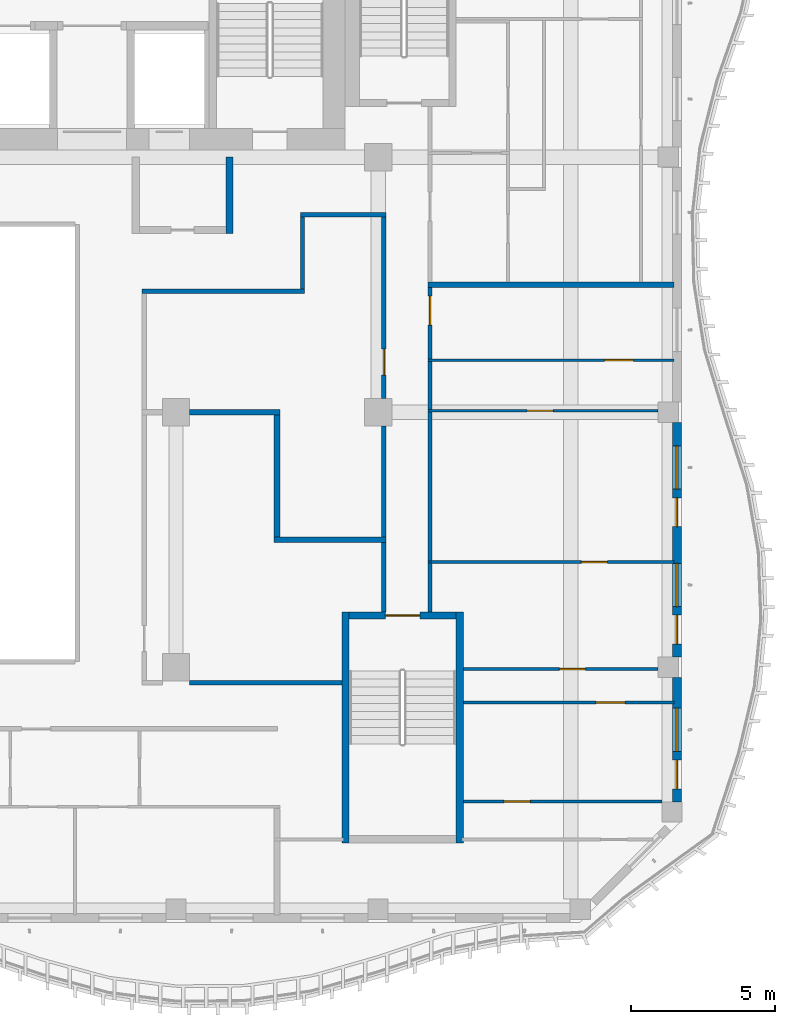
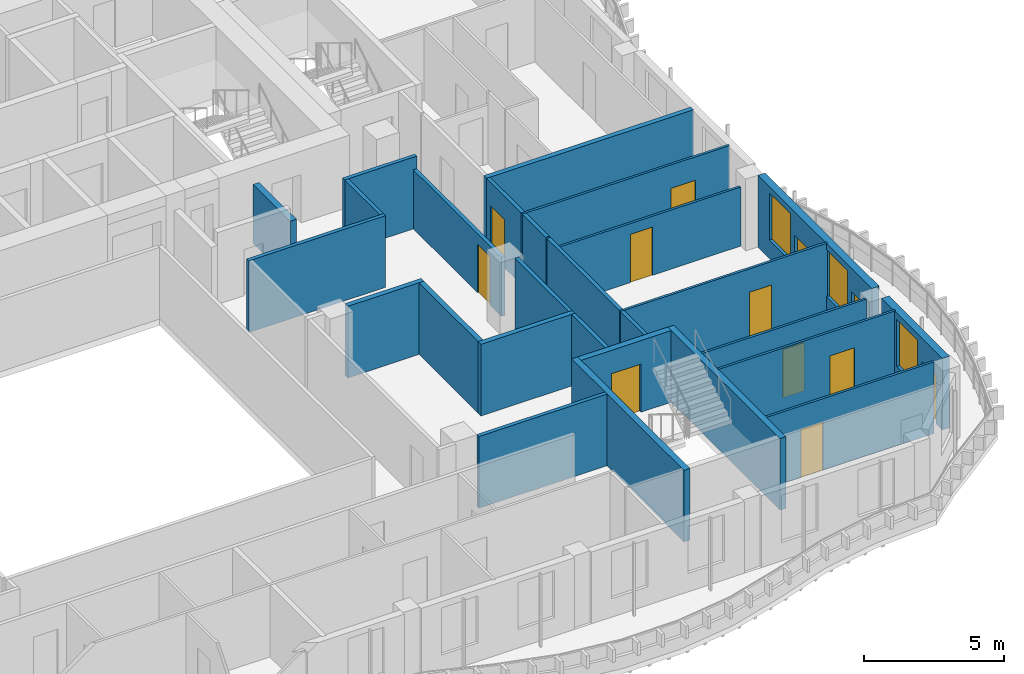
# One storey, part 5 of 18: 27 walls, 12 doors, 3 windows, 15 openings.
"""IFC4 building model written with IfcOpenShell, lengths in metres."""

from ifc_helpers import new_model, si_unit, direction, frame, frame_2d, origin, place, context, subcontext, project, spatial, rectangle, extrude, source, transform, mapped, material, layer, layer_set, type_object, element, fill, save


model = new_model("IFC4")

# Units and contexts
model_context = context("Model", 3, precision=1e-05, world=origin(), true_north=direction((0.0, 1.0)))
body_context = subcontext(model_context, "Body", "Model", "MODEL_VIEW")
ifc_project = project(units=[si_unit("LENGTHUNIT", "METRE"), si_unit("AREAUNIT", "SQUARE_METRE"), si_unit("VOLUMEUNIT", "CUBIC_METRE"), si_unit("PLANEANGLEUNIT", "RADIAN"), si_unit("MASSUNIT", "GRAM", prefix="KILO")], contexts=[model_context])

# Site, building, storey
site_placement = place(None, origin())
site = spatial("IfcSite", under=ifc_project, at=site_placement, CompositionType="ELEMENT")
building_placement = place(site_placement, origin())
building = spatial("IfcBuilding", under=site, at=building_placement, Name="Kilnfold Tower and Market Hall", CompositionType="ELEMENT")
storey_placement = place(building_placement, frame((0.0, 0.0, 249.199951171875)))
storey = spatial("IfcBuildingStorey", under=building, at=storey_placement, Name="L60", CompositionType="ELEMENT", Elevation=249.199951171875)

# Walls
ifc_material_1 = material(Name="Gypsum board on steel studs", Category="steel")
ifc_layer_1 = layer(ifc_material_1, 0.14990234375)
ifc_layer_set_1 = layer_set([ifc_layer_1], Name="Gypsum board on steel studs")
wall_type_1 = type_object("IfcWallType", Name="WALL CORRIDOR 150", PredefinedType="PARTITIONING", material=ifc_layer_set_1)
wall_1_placement = place(storey_placement, frame((20.800048828125, -7.75, 0.0), z_axis=(0.0, 0.0, 1.0), x_axis=(0.0, 1.0, 0.0)))
element("IfcWall", 1, at=wall_1_placement, inside=storey, type_object=wall_type_1, Name="Partition LY37.12", PredefinedType="PARTITIONING", context=body_context, shape_type="SweptSolid", body=[
    extrude(rectangle(XDim=1.68603515625, YDim=0.14990234375, at=frame_2d((0.843017578125, 0.0))), origin(), (0.0, 0.0, 1.0), 3.1201171875),
])
wall_2_placement = place(storey_placement, frame((20.800048828125, -5.98388671875, 0.0), z_axis=(0.0, 0.0, 1.0), x_axis=(0.0, 1.0, 0.0)))
element("IfcWall", 2, at=wall_2_placement, inside=storey, type_object=wall_type_1, Name="Partition LY37.13", PredefinedType="PARTITIONING", context=body_context, shape_type="SweptSolid", body=[
    extrude(rectangle(XDim=5.159912109375, YDim=0.14990234375, at=frame_2d((2.580078125, 0.0))), origin(), (0.0, 0.0, 1.0), 3.1201171875),
])
wall_3_placement = place(storey_placement, frame((20.800048828125, -0.743896484375, 0.0), z_axis=(0.0, 0.0, 1.0), x_axis=(0.0, 1.0, 0.0)))
element("IfcWall", 3, at=wall_3_placement, inside=storey, type_object=wall_type_1, Name="Partition LY37.14", PredefinedType="PARTITIONING", context=body_context, shape_type="SweptSolid", body=[
    extrude(rectangle(XDim=1.6708984375, YDim=0.14990234375, at=frame_2d((0.83544921875, 0.0))), origin(), (0.0, 0.0, 1.0), 3.1201171875),
])

# Wall, opening, door
wall_4_placement = place(storey_placement, frame((20.800048828125, 1.007080078125, 0.0), z_axis=(0.0, 0.0, 1.0), x_axis=(0.0, 1.0, 0.0)))
wall_4 = element("IfcWall", 4, at=wall_4_placement, inside=storey, type_object=wall_type_1, Name="Partition LY37.15", PredefinedType="PARTITIONING", context=body_context, shape_type="SweptSolid", body=[
    extrude(rectangle(XDim=2.48583984375, YDim=0.14990234375, at=frame_2d((1.242919921875, 0.0))), origin(), (0.0, 0.0, 1.0), 3.1201171875),
])
opening_1_placement = place(wall_4_placement, frame((1.177001953125, 0.0, 0.0)))
opening_1 = element("IfcOpeningElement", 5, at=opening_1_placement, cuts=wall_4, Name="Opening D1", PredefinedType="OPENING", context=body_context, shape_type="SweptSolid", body=[
    extrude(rectangle(XDim=1.0, YDim=2.10009765625, at=frame_2d((0.5, 1.050048828125))), frame((0.0, 0.0849609375, 0.0), z_axis=(0.0, -1.0, 0.0), x_axis=(1.0, 0.0, 0.0)), (0.0, 0.0, 1.0), 0.169921875),
])
ifc_material_2 = material(Name="Timber veneer door leaf in steel frame", Category="steel")
door_type_1 = type_object("IfcDoorType", Name="DOOR ENTRY 1000 X2100", OperationType="NOTDEFINED", PredefinedType="DOOR", material=ifc_material_2)
door_1_placement = place(opening_1_placement, origin())
door_1 = element("IfcDoor", 6, at=door_1_placement, inside=storey, type_object=door_type_1, Name="Door D1", OperationType="SINGLE_SWING_RIGHT", OverallHeight=2.10009765625, OverallWidth=1.0, PredefinedType="DOOR", context=body_context, shape_type="SweptSolid", body=[
    extrude(rectangle(XDim=1.0, YDim=2.10009765625, at=frame_2d((0.5, 1.050048828125))), frame((0.0, 0.02490234375, 0.0), z_axis=(0.0, -1.0, 0.0), x_axis=(1.0, 0.0, 0.0)), (0.0, 0.0, 1.0), 0.050048828125),
])
fill(opening_1, door_1)

# Walls
wall_5_placement = place(storey_placement, frame((19.199951171875, -7.75, 0.0), z_axis=(0.0, 0.0, 1.0), x_axis=(0.0, 1.0, 0.0)))
element("IfcWall", 7, at=wall_5_placement, inside=storey, type_object=wall_type_1, Name="Partition LY37.40", PredefinedType="PARTITIONING", context=body_context, shape_type="SweptSolid", body=[
    extrude(rectangle(XDim=2.409912109375, YDim=0.14990234375, at=frame_2d((1.205078125, 0.0))), origin(), (0.0, 0.0, 1.0), 3.1201171875),
])
wall_6_placement = place(storey_placement, frame((12.47509765625, -10.199951171875, 0.0), z_axis=(0.0, 0.0, 1.0), x_axis=(1.0, 0.0, 0.0)))
element("IfcWall", 8, at=wall_6_placement, inside=storey, type_object=wall_type_1, Name="Partition LY37.42", PredefinedType="PARTITIONING", context=body_context, shape_type="SweptSolid", body=[
    extrude(rectangle(XDim=5.27490234375, YDim=0.14990234375, at=frame_2d((2.637451171875, 0.0))), origin(), (0.0, 0.0, 1.0), 3.1201171875),
])
wall_7_placement = place(storey_placement, frame((19.199951171875, -5.159912109375, 0.0), z_axis=(0.0, 0.0, 1.0), x_axis=(0.0, 1.0, 0.0)))
element("IfcWall", 9, at=wall_7_placement, inside=storey, type_object=wall_type_1, Name="Partition LY37.44", PredefinedType="PARTITIONING", context=body_context, shape_type="SweptSolid", body=[
    extrude(rectangle(XDim=3.851806640625, YDim=0.14990234375, at=frame_2d((1.92578125, 0.0))), origin(), (0.0, 0.0, 1.0), 3.1201171875),
])

# Wall, opening, door
wall_8_placement = place(storey_placement, frame((19.199951171875, -0.35791015625, 0.0), z_axis=(0.0, 0.0, 1.0), x_axis=(0.0, 1.0, 0.0)))
wall_8 = element("IfcWall", 10, at=wall_8_placement, inside=storey, type_object=wall_type_1, Name="Partition LY37.45", PredefinedType="PARTITIONING", context=body_context, shape_type="SweptSolid", body=[
    extrude(rectangle(XDim=6.282958984375, YDim=0.14990234375, at=frame_2d((3.1416015625, 0.0))), origin(), (0.0, 0.0, 1.0), 2.570068359375),
])
opening_2_placement = place(wall_8_placement, frame((0.81005859375, 0.0, 0.0)))
opening_2 = element("IfcOpeningElement", 11, at=opening_2_placement, cuts=wall_8, Name="Opening D2", PredefinedType="OPENING", context=body_context, shape_type="SweptSolid", body=[
    extrude(rectangle(XDim=0.89990234375, YDim=2.10009765625, at=frame_2d((0.449951171875, 1.050048828125))), frame((0.0, 0.0849609375, 0.0), z_axis=(0.0, -1.0, 0.0), x_axis=(1.0, 0.0, 0.0)), (0.0, 0.0, 1.0), 0.169921875),
])
ifc_material_3 = material(Name="Timber veneer door leaf in steel frame", Category="steel")
door_type_2 = type_object("IfcDoorType", Name="DOOR ROOM 900 X2100", OperationType="NOTDEFINED", PredefinedType="DOOR", material=ifc_material_3)
door_2_placement = place(opening_2_placement, origin())
door_2 = element("IfcDoor", 12, at=door_2_placement, inside=storey, type_object=door_type_2, Name="Door D2", OperationType="SINGLE_SWING_RIGHT", OverallHeight=2.10009765625, OverallWidth=0.89990234375, PredefinedType="DOOR", context=body_context, shape_type="SweptSolid", body=[
    extrude(rectangle(XDim=0.89990234375, YDim=2.10009765625, at=frame_2d((0.449951171875, 1.050048828125))), frame((0.0, 0.02490234375, 0.0), z_axis=(0.0, -1.0, 0.0), x_axis=(1.0, 0.0, 0.0)), (0.0, 0.0, 1.0), 0.050048828125),
])
fill(opening_2, door_2)

# Walls
wall_9_placement = place(storey_placement, frame((16.304931640625, 6.0, 0.0), z_axis=(0.0, 0.0, 1.0), x_axis=(1.0, 0.0, 0.0)))
element("IfcWall", 13, at=wall_9_placement, inside=storey, type_object=wall_type_1, Name="Partition LY37.46", PredefinedType="PARTITIONING", context=body_context, shape_type="SweptSolid", body=[
    extrude(rectangle(XDim=2.969970703125, YDim=0.14990234375, at=frame_2d((1.48486328125, 0.0))), origin(), (0.0, 0.0, 1.0), 3.1201171875),
])
wall_10_placement = place(storey_placement, frame((16.3798828125, 3.425048828125, 0.0), z_axis=(0.0, 0.0, 1.0), x_axis=(0.0, 1.0, 0.0)))
element("IfcWall", 14, at=wall_10_placement, inside=storey, type_object=wall_type_1, Name="Partition LY37.47", PredefinedType="PARTITIONING", context=body_context, shape_type="SweptSolid", body=[
    extrude(rectangle(XDim=2.5, YDim=0.14990234375, at=frame_2d((1.25, 0.0))), origin(), (0.0, 0.0, 1.0), 3.1201171875),
])
wall_11_placement = place(storey_placement, frame((10.824951171875, 3.35009765625, 0.0), z_axis=(0.0, 0.0, 1.0), x_axis=(1.0, 0.0, 0.0)))
element("IfcWall", 15, at=wall_11_placement, inside=storey, type_object=wall_type_1, Name="Partition LY37.48", PredefinedType="PARTITIONING", context=body_context, shape_type="SweptSolid", body=[
    extrude(rectangle(XDim=5.630126953125, YDim=0.14990234375, at=frame_2d((2.81494140625, 0.0))), origin(), (0.0, 0.0, 1.0), 3.1201171875),
])

# Wall, opening, door
ifc_material_4 = material(Name="Gypsum board on steel studs", Category="steel")
ifc_layer_2 = layer(ifc_material_4, 0.10009765625)
ifc_layer_set_2 = layer_set([ifc_layer_2], Name="Gypsum board on steel studs")
wall_type_2 = type_object("IfcWallType", Name="WALL PARTITION 100", PredefinedType="PARTITIONING", material=ifc_layer_set_2)
wall_12_placement = place(storey_placement, frame((28.83203125, -14.320068359375, 0.0), z_axis=(0.0, 0.0, 1.0), x_axis=(-1.0, 0.0, 0.0)))
wall_12 = element("IfcWall", 16, at=wall_12_placement, inside=storey, type_object=wall_type_2, Name="Partition LY37.72", PredefinedType="PARTITIONING", context=body_context, shape_type="SweptSolid", body=[
    extrude(rectangle(XDim=6.882080078125, YDim=0.10009765625, at=frame_2d((3.44091796875, 0.0))), origin(), (0.0, 0.0, 1.0), 3.1201171875),
])
opening_3_placement = place(wall_12_placement, frame((4.56396484375, 0.0, 0.0)))
opening_3 = element("IfcOpeningElement", 17, at=opening_3_placement, cuts=wall_12, Name="Opening D2", PredefinedType="OPENING", context=body_context, shape_type="SweptSolid", body=[
    extrude(rectangle(XDim=0.89990234375, YDim=2.10009765625, at=frame_2d((0.449951171875, 1.050048828125))), frame((0.0, 0.06005859375, 0.0), z_axis=(0.0, -1.0, 0.0), x_axis=(1.0, 0.0, 0.0)), (0.0, 0.0, 1.0), 0.1201171875),
])
door_3_placement = place(opening_3_placement, origin())
door_3 = element("IfcDoor", 18, at=door_3_placement, inside=storey, type_object=door_type_2, Name="Door D2", OperationType="SINGLE_SWING_LEFT", OverallHeight=2.10009765625, OverallWidth=0.89990234375, PredefinedType="DOOR", context=body_context, shape_type="SweptSolid", body=[
    extrude(rectangle(XDim=0.89990234375, YDim=2.10009765625, at=frame_2d((0.449951171875, 1.050048828125))), frame((0.0, 0.02490234375, 0.0), z_axis=(0.0, -1.0, 0.0), x_axis=(1.0, 0.0, 0.0)), (0.0, 0.0, 1.0), 0.050048828125),
])
fill(opening_3, door_3)

wall_13_placement = place(storey_placement, frame((29.25, -10.882080078125, 0.0), z_axis=(0.0, 0.0, 1.0), x_axis=(-1.0, 0.0, 0.0)))
wall_13 = element("IfcWall", 19, at=wall_13_placement, inside=storey, type_object=wall_type_2, Name="Partition LY37.73", PredefinedType="PARTITIONING", context=body_context, shape_type="SweptSolid", body=[
    extrude(rectangle(XDim=7.300048828125, YDim=0.10009765625, at=frame_2d((3.64990234375, 0.0))), origin(), (0.0, 0.0, 1.0), 3.1201171875),
])
opening_4_placement = place(wall_13_placement, frame((1.699951171875, 0.0, 0.0)))
opening_4 = element("IfcOpeningElement", 20, at=opening_4_placement, cuts=wall_13, Name="Opening D1", PredefinedType="OPENING", context=body_context, shape_type="SweptSolid", body=[
    extrude(rectangle(XDim=1.0, YDim=2.10009765625, at=frame_2d((0.5, 1.050048828125))), frame((0.0, 0.06005859375, 0.0), z_axis=(0.0, -1.0, 0.0), x_axis=(1.0, 0.0, 0.0)), (0.0, 0.0, 1.0), 0.1201171875),
])
door_4_placement = place(opening_4_placement, origin())
door_4 = element("IfcDoor", 21, at=door_4_placement, inside=storey, type_object=door_type_1, Name="Door D1", OperationType="SINGLE_SWING_LEFT", OverallHeight=2.10009765625, OverallWidth=1.0, PredefinedType="DOOR", context=body_context, shape_type="SweptSolid", body=[
    extrude(rectangle(XDim=1.0, YDim=2.10009765625, at=frame_2d((0.5, 1.050048828125))), frame((0.0, 0.02490234375, 0.0), z_axis=(0.0, -1.0, 0.0), x_axis=(1.0, 0.0, 0.0)), (0.0, 0.0, 1.0), 0.050048828125),
])
fill(opening_4, door_4)

wall_14_placement = place(storey_placement, frame((28.699951171875, -9.735107421875, 0.0), z_axis=(0.0, 0.0, 1.0), x_axis=(-1.0, 0.0, 0.0)))
wall_14 = element("IfcWall", 22, at=wall_14_placement, inside=storey, type_object=wall_type_2, Name="Partition LY37.74", PredefinedType="PARTITIONING", context=body_context, shape_type="SweptSolid", body=[
    extrude(rectangle(XDim=6.75, YDim=0.10009765625, at=frame_2d((3.375, 0.0))), origin(), (0.0, 0.0, 1.0), 3.1201171875),
])
opening_5_placement = place(wall_14_placement, frame((2.52099609375, 0.0, 0.0)))
opening_5 = element("IfcOpeningElement", 23, at=opening_5_placement, cuts=wall_14, Name="Opening D2", PredefinedType="OPENING", context=body_context, shape_type="SweptSolid", body=[
    extrude(rectangle(XDim=0.89990234375, YDim=2.10009765625, at=frame_2d((0.449951171875, 1.050048828125))), frame((0.0, 0.06005859375, 0.0), z_axis=(0.0, -1.0, 0.0), x_axis=(1.0, 0.0, 0.0)), (0.0, 0.0, 1.0), 0.1201171875),
])
door_5_placement = place(opening_5_placement, origin())
door_5 = element("IfcDoor", 24, at=door_5_placement, inside=storey, type_object=door_type_2, Name="Door D2", OperationType="SINGLE_SWING_LEFT", OverallHeight=2.10009765625, OverallWidth=0.89990234375, PredefinedType="DOOR", context=body_context, shape_type="SweptSolid", body=[
    extrude(rectangle(XDim=0.89990234375, YDim=2.10009765625, at=frame_2d((0.449951171875, 1.050048828125))), frame((0.0, 0.02490234375, 0.0), z_axis=(0.0, -1.0, 0.0), x_axis=(1.0, 0.0, 0.0)), (0.0, 0.0, 1.0), 0.050048828125),
])
fill(opening_5, door_5)

wall_15_placement = place(storey_placement, frame((29.25, -6.02392578125, 0.0), z_axis=(0.0, 0.0, 1.0), x_axis=(-1.0, 0.0, 0.0)))
wall_15 = element("IfcWall", 25, at=wall_15_placement, inside=storey, type_object=wall_type_2, Name="Partition LY37.75", PredefinedType="PARTITIONING", context=body_context, shape_type="SweptSolid", body=[
    extrude(rectangle(XDim=8.52294921875, YDim=0.10009765625, at=frame_2d((4.261474609375, 0.0))), origin(), (0.0, 0.0, 1.0), 3.1201171875),
])
opening_6_placement = place(wall_15_placement, frame((2.306884765625, 0.0, 0.0)))
opening_6 = element("IfcOpeningElement", 26, at=opening_6_placement, cuts=wall_15, Name="Opening D2", PredefinedType="OPENING", context=body_context, shape_type="SweptSolid", body=[
    extrude(rectangle(XDim=0.89990234375, YDim=2.10009765625, at=frame_2d((0.449951171875, 1.050048828125))), frame((0.0, 0.06005859375, 0.0), z_axis=(0.0, -1.0, 0.0), x_axis=(1.0, 0.0, 0.0)), (0.0, 0.0, 1.0), 0.1201171875),
])
door_6_placement = place(opening_6_placement, origin())
door_6 = element("IfcDoor", 27, at=door_6_placement, inside=storey, type_object=door_type_2, Name="Door D2", OperationType="SINGLE_SWING_LEFT", OverallHeight=2.10009765625, OverallWidth=0.89990234375, PredefinedType="DOOR", context=body_context, shape_type="SweptSolid", body=[
    extrude(rectangle(XDim=0.89990234375, YDim=2.10009765625, at=frame_2d((0.449951171875, 1.050048828125))), frame((0.0, 0.02490234375, 0.0), z_axis=(0.0, -1.0, 0.0), x_axis=(1.0, 0.0, 0.0)), (0.0, 0.0, 1.0), 0.050048828125),
])
fill(opening_6, door_6)

wall_16_placement = place(storey_placement, frame((28.699951171875, -0.783935546875, 0.0), z_axis=(0.0, 0.0, 1.0), x_axis=(-1.0, 0.0, 0.0)))
wall_16 = element("IfcWall", 28, at=wall_16_placement, inside=storey, type_object=wall_type_2, Name="Partition LY37.76", PredefinedType="PARTITIONING", context=body_context, shape_type="SweptSolid", body=[
    extrude(rectangle(XDim=7.972900390625, YDim=0.10009765625, at=frame_2d((3.986328125, 0.0))), origin(), (0.0, 0.0, 1.0), 2.570068359375),
])
opening_7_placement = place(wall_16_placement, frame((3.637939453125, 0.0, 0.0)))
opening_7 = element("IfcOpeningElement", 29, at=opening_7_placement, cuts=wall_16, Name="Opening D2", PredefinedType="OPENING", context=body_context, shape_type="SweptSolid", body=[
    extrude(rectangle(XDim=0.89990234375, YDim=2.10009765625, at=frame_2d((0.449951171875, 1.050048828125))), frame((0.0, 0.06005859375, 0.0), z_axis=(0.0, -1.0, 0.0), x_axis=(1.0, 0.0, 0.0)), (0.0, 0.0, 1.0), 0.1201171875),
])
door_7_placement = place(opening_7_placement, origin())
door_7 = element("IfcDoor", 30, at=door_7_placement, inside=storey, type_object=door_type_2, Name="Door D2", OperationType="SINGLE_SWING_RIGHT", OverallHeight=2.10009765625, OverallWidth=0.89990234375, PredefinedType="DOOR", context=body_context, shape_type="SweptSolid", body=[
    extrude(rectangle(XDim=0.89990234375, YDim=2.10009765625, at=frame_2d((0.449951171875, 1.050048828125))), frame((0.0, 0.02490234375, 0.0), z_axis=(0.0, -1.0, 0.0), x_axis=(1.0, 0.0, 0.0)), (0.0, 0.0, 1.0), 0.050048828125),
])
fill(opening_7, door_7)

wall_17_placement = place(storey_placement, frame((29.25, 0.967041015625, 0.0), z_axis=(0.0, 0.0, 1.0), x_axis=(-1.0, 0.0, 0.0)))
wall_17 = element("IfcWall", 31, at=wall_17_placement, inside=storey, type_object=wall_type_2, Name="Partition LY37.77", PredefinedType="PARTITIONING", context=body_context, shape_type="SweptSolid", body=[
    extrude(rectangle(XDim=8.52294921875, YDim=0.10009765625, at=frame_2d((4.261474609375, 0.0))), origin(), (0.0, 0.0, 1.0), 3.1201171875),
])
opening_8_placement = place(wall_17_placement, frame((1.404052734375, 0.0, 0.0)))
opening_8 = element("IfcOpeningElement", 32, at=opening_8_placement, cuts=wall_17, Name="Opening D1", PredefinedType="OPENING", context=body_context, shape_type="SweptSolid", body=[
    extrude(rectangle(XDim=1.0, YDim=2.10009765625, at=frame_2d((0.5, 1.050048828125))), frame((0.0, 0.06005859375, 0.0), z_axis=(0.0, -1.0, 0.0), x_axis=(1.0, 0.0, 0.0)), (0.0, 0.0, 1.0), 0.1201171875),
])
door_8_placement = place(opening_8_placement, origin())
door_8 = element("IfcDoor", 33, at=door_8_placement, inside=storey, type_object=door_type_1, Name="Door D1", OperationType="SINGLE_SWING_RIGHT", OverallHeight=2.10009765625, OverallWidth=1.0, PredefinedType="DOOR", context=body_context, shape_type="SweptSolid", body=[
    extrude(rectangle(XDim=1.0, YDim=2.10009765625, at=frame_2d((0.5, 1.050048828125))), frame((0.0, 0.02490234375, 0.0), z_axis=(0.0, -1.0, 0.0), x_axis=(1.0, 0.0, 0.0)), (0.0, 0.0, 1.0), 0.050048828125),
])
fill(opening_8, door_8)

# Walls
ifc_material_5 = material(Name="Gypsum board on steel studs", Category="steel")
ifc_layer_3 = layer(ifc_material_5, 0.199951171875)
ifc_layer_set_3 = layer_set([ifc_layer_3], Name="Gypsum board on steel studs")
wall_type_3 = type_object("IfcWallType", Name="WALL PARTY 200", PredefinedType="PARTITIONING", material=ifc_layer_set_3)
wall_18_placement = place(storey_placement, frame((20.72705078125, 3.5830078125, 0.0), z_axis=(0.0, 0.0, 1.0), x_axis=(1.0, 0.0, 0.0)))
element("IfcWall", 34, at=wall_18_placement, inside=storey, type_object=wall_type_3, Name="Partition LY37.78", PredefinedType="PARTITIONING", context=body_context, shape_type="SweptSolid", body=[
    extrude(rectangle(XDim=8.52294921875, YDim=0.199951171875, at=frame_2d((4.261474609375, 0.0))), origin(), (0.0, 0.0, 1.0), 3.1201171875),
])
wall_19_placement = place(storey_placement, frame((12.47509765625, -0.8330078125, 0.0), z_axis=(0.0, 0.0, 1.0), x_axis=(1.0, 0.0, 0.0)))
element("IfcWall", 35, at=wall_19_placement, inside=storey, type_object=wall_type_3, Name="Partition LY37.104", PredefinedType="PARTITIONING", context=body_context, shape_type="SweptSolid", body=[
    extrude(rectangle(XDim=3.125, YDim=0.199951171875, at=frame_2d((1.5625, 0.0))), origin(), (0.0, 0.0, 1.0), 3.1201171875),
])
wall_20_placement = place(storey_placement, frame((15.5, -5.14990234375, 0.0), z_axis=(0.0, 0.0, 1.0), x_axis=(0.0, 1.0, 0.0)))
element("IfcWall", 36, at=wall_20_placement, inside=storey, type_object=wall_type_3, Name="Partition LY37.105", PredefinedType="PARTITIONING", context=body_context, shape_type="SweptSolid", body=[
    extrude(rectangle(XDim=4.216796875, YDim=0.199951171875, at=frame_2d((2.1083984375, 0.0))), origin(), (0.0, 0.0, 1.0), 3.1201171875),
])
wall_21_placement = place(storey_placement, frame((15.39990234375, -5.25, 0.0), z_axis=(0.0, 0.0, 1.0), x_axis=(1.0, 0.0, 0.0)))
element("IfcWall", 37, at=wall_21_placement, inside=storey, type_object=wall_type_3, Name="Partition LY37.106", PredefinedType="PARTITIONING", context=body_context, shape_type="SweptSolid", body=[
    extrude(rectangle(XDim=3.873046875, YDim=0.199951171875, at=frame_2d((1.9365234375, 0.0))), origin(), (0.0, 0.0, 1.0), 3.1201171875),
])

# Wall, opening, door
ifc_material_6 = material(Name="Concrete C60", Category="concrete")
ifc_layer_4 = layer(ifc_material_6, 0.25)
ifc_layer_set_4 = layer_set([ifc_layer_4], Name="Concrete C60")
wall_type_4 = type_object("IfcWallType", Name="CORE WALL 250 C60", PredefinedType="SHEAR", material=ifc_layer_set_4)
shared_shape_1 = source(origin(), body_context, "Body", "SweptSolid", [
    extrude(rectangle(XDim=3.699951171875, YDim=0.25, at=frame_2d((1.85009765625, 0.0))), origin(), (0.0, 0.0, 1.0), 3.1201171875),
])
wall_22_placement = place(storey_placement, frame((18.0, -7.875, 0.0), z_axis=(0.0, 0.0, 1.0), x_axis=(1.0, 0.0, 0.0)))
wall_22 = element("IfcWall", 38, at=wall_22_placement, inside=storey, type_object=wall_type_4, Name="Stair enclosure ST4", PredefinedType="SHEAR", context=body_context, shape_type="MappedRepresentation", body=[
    mapped(shared_shape_1, transform((0.0, 0.0, 0.0))),
])
opening_9_placement = place(wall_22_placement, frame((1.25, 0.0, 0.0)))
opening_9 = element("IfcOpeningElement", 39, at=opening_9_placement, cuts=wall_22, Name="Opening SD1", PredefinedType="OPENING", context=body_context, shape_type="SweptSolid", body=[
    extrude(rectangle(XDim=1.199951171875, YDim=2.10009765625, at=frame_2d((0.60009765625, 1.050048828125))), frame((0.0, 0.135009765625, 0.0), z_axis=(0.0, -1.0, 0.0), x_axis=(1.0, 0.0, 0.0)), (0.0, 0.0, 1.0), 0.27001953125),
])
ifc_material_7 = material(Name="Steel door set with fire-resisting leaf", Category="steel")
door_type_3 = type_object("IfcDoorType", Name="STAIR FLOOR DOOR 1200X2100", OperationType="NOTDEFINED", PredefinedType="DOOR", material=ifc_material_7)
door_9_placement = place(opening_9_placement, origin())
door_9 = element("IfcDoor", 40, at=door_9_placement, inside=storey, type_object=door_type_3, Name="Exit stair ST4 door", OperationType="DOUBLE_DOOR_SINGLE_SWING", OverallHeight=2.10009765625, OverallWidth=1.199951171875, PredefinedType="DOOR", context=body_context, shape_type="SweptSolid", body=[
    extrude(rectangle(XDim=1.199951171875, YDim=2.10009765625, at=frame_2d((0.60009765625, 1.050048828125))), frame((0.0, 0.02490234375, 0.0), z_axis=(0.0, -1.0, 0.0), x_axis=(1.0, 0.0, 0.0)), (0.0, 0.0, 1.0), 0.050048828125),
])
fill(opening_9, door_9)

# Walls
shared_shape_2 = source(origin(), body_context, "Body", "SweptSolid", [
    extrude(rectangle(XDim=8.0, YDim=0.25, at=frame_2d((4.0, 0.0))), origin(), (0.0, 0.0, 1.0), 3.1201171875),
])
for number, where, z_axis, x_axis, name in (
    (41, (17.875, -15.75, 0.0), (0.0, 0.0, 1.0), (0.0, 1.0, 0.0), "Stair enclosure ST4"),
    (42, (21.824951171875, -15.75, 0.0), (0.0, 0.0, 1.0), (0.0, 1.0, 0.0), "Stair enclosure ST4"),
):
    element("IfcWall", number, at=place(storey_placement, frame(where, z_axis=z_axis, x_axis=x_axis)), inside=storey, type_object=wall_type_4, Name=name, PredefinedType="SHEAR", context=body_context, shape_type="MappedRepresentation", body=[
        mapped(shared_shape_2, transform((0.0, 0.0, 0.0))),
    ])

# Wall, openings, door, window
ifc_material_8 = material(Name="Precast concrete C50/60", Category="concrete")
ifc_layer_5 = layer(ifc_material_8, 0.300048828125)
ifc_layer_set_5 = layer_set([ifc_layer_5], Name="Precast concrete C50/60")
wall_type_5 = type_object("IfcWallType", Name="PRECAST WALL 300", PredefinedType="SOLIDWALL", material=ifc_layer_set_5)
shared_shape_3 = source(origin(), body_context, "Body", "SweptSolid", [
    extrude(rectangle(XDim=4.315185546875, YDim=0.300048828125, at=frame_2d((2.15771484375, 0.0))), origin(), (0.0, 0.0, 1.0), 3.1201171875),
])
wall_23_placement = place(storey_placement, frame((29.35009765625, -14.331787109375, 0.0), z_axis=(0.0, 0.0, 1.0), x_axis=(0.0, 1.0, 0.0)))
wall_23 = element("IfcWall", 43, at=wall_23_placement, inside=storey, type_object=wall_type_5, Name="External wall L60 E", PredefinedType="SOLIDWALL", context=body_context, shape_type="MappedRepresentation", body=[
    mapped(shared_shape_3, transform((0.0, 0.0, 0.0))),
])
opening_10_placement = place(wall_23_placement, frame((1.75, 0.0, 0.800048828125)))
opening_10 = element("IfcOpeningElement", 44, at=opening_10_placement, cuts=wall_23, Name="Opening W5", PredefinedType="OPENING", context=body_context, shape_type="SweptSolid", body=[
    extrude(rectangle(XDim=1.5, YDim=2.050048828125, at=frame_2d((0.75, 1.02490234375))), frame((0.0, 0.16015625, 0.0), z_axis=(0.0, -1.0, 0.0), x_axis=(1.0, 0.0, 0.0)), (0.0, 0.0, 1.0), 0.320068359375),
])
opening_11_placement = place(wall_23_placement, frame((0.449951171875, 0.0, 0.0)))
opening_11 = element("IfcOpeningElement", 45, at=opening_11_placement, cuts=wall_23, Name="Opening BD1", PredefinedType="OPENING", context=body_context, shape_type="SweptSolid", body=[
    extrude(rectangle(XDim=1.0, YDim=2.10009765625, at=frame_2d((0.5, 1.050048828125))), frame((0.0, 0.16015625, 0.0), z_axis=(0.0, -1.0, 0.0), x_axis=(1.0, 0.0, 0.0)), (0.0, 0.0, 1.0), 0.320068359375),
])
ifc_material_9 = material(Name="Aluminium frame and double glazing", Category="aluminium")
door_type_4 = type_object("IfcDoorType", Name="BALCONY DOOR 1000X2100", OperationType="NOTDEFINED", PredefinedType="DOOR", material=ifc_material_9)
door_10_placement = place(opening_11_placement, origin())
door_10 = element("IfcDoor", 46, at=door_10_placement, inside=storey, type_object=door_type_4, Name="Balcony door BD1 L60 E-1", OperationType="SINGLE_SWING_LEFT", OverallHeight=2.10009765625, OverallWidth=1.0, PredefinedType="DOOR", context=body_context, shape_type="SweptSolid", body=[
    extrude(rectangle(XDim=1.0, YDim=2.10009765625, at=frame_2d((0.5, 1.050048828125))), frame((0.0, 0.02490234375, 0.0), z_axis=(0.0, -1.0, 0.0), x_axis=(1.0, 0.0, 0.0)), (0.0, 0.0, 1.0), 0.050048828125),
])
fill(opening_11, door_10)
ifc_material_10 = material(Name="Aluminium frame and double glazing", Category="aluminium")
window_type = type_object("IfcWindowType", Name="WINDOW W5 1500X2050", PartitioningType="SINGLE_PANEL", PredefinedType="WINDOW", material=ifc_material_10)
window_1_placement = place(opening_10_placement, origin())
window_1 = element("IfcWindow", 47, at=window_1_placement, inside=storey, type_object=window_type, Name="Window W5 L60 E-1", OverallHeight=2.050048828125, OverallWidth=1.5, PartitioningType="SINGLE_PANEL", PredefinedType="WINDOW", context=body_context, shape_type="SweptSolid", body=[
    extrude(rectangle(XDim=1.5, YDim=2.050048828125, at=frame_2d((0.75, 1.02490234375))), frame((0.0, 0.030029296875, 0.0), z_axis=(0.0, -1.0, 0.0), x_axis=(1.0, 0.0, 0.0)), (0.0, 0.0, 1.0), 0.06005859375),
])
fill(opening_10, window_1)

# Wall, openings, doors, windows
shared_shape_4 = source(origin(), body_context, "Body", "SweptSolid", [
    extrude(rectangle(XDim=8.13330078125, YDim=0.300048828125, at=frame_2d((4.066650390625, 0.0))), origin(), (0.0, 0.0, 1.0), 3.1201171875),
])
wall_24_placement = place(storey_placement, frame((29.35009765625, -9.316650390625, 0.0), z_axis=(0.0, 0.0, 1.0), x_axis=(0.0, 1.0, 0.0)))
wall_24 = element("IfcWall", 48, at=wall_24_placement, inside=storey, type_object=wall_type_5, Name="External wall L60 E", PredefinedType="SOLIDWALL", context=body_context, shape_type="MappedRepresentation", body=[
    mapped(shared_shape_4, transform((0.0, 0.0, 0.0))),
])
opening_12_placement = place(wall_24_placement, frame((1.75, 0.0, 0.800048828125)))
opening_12 = element("IfcOpeningElement", 49, at=opening_12_placement, cuts=wall_24, Name="Opening W5", PredefinedType="OPENING", context=body_context, shape_type="SweptSolid", body=[
    extrude(rectangle(XDim=1.5, YDim=2.050048828125, at=frame_2d((0.75, 1.02490234375))), frame((0.0, 0.16015625, 0.0), z_axis=(0.0, -1.0, 0.0), x_axis=(1.0, 0.0, 0.0)), (0.0, 0.0, 1.0), 0.320068359375),
])
opening_13_placement = place(wall_24_placement, frame((0.449951171875, 0.0, 0.0)))
opening_13 = element("IfcOpeningElement", 50, at=opening_13_placement, cuts=wall_24, Name="Opening BD1", PredefinedType="OPENING", context=body_context, shape_type="SweptSolid", body=[
    extrude(rectangle(XDim=1.0, YDim=2.10009765625, at=frame_2d((0.5, 1.050048828125))), frame((0.0, 0.16015625, 0.0), z_axis=(0.0, -1.0, 0.0), x_axis=(1.0, 0.0, 0.0)), (0.0, 0.0, 1.0), 0.320068359375),
])
opening_14_placement = place(wall_24_placement, frame((5.816650390625, 0.0, 0.800048828125)))
opening_14 = element("IfcOpeningElement", 51, at=opening_14_placement, cuts=wall_24, Name="Opening W5", PredefinedType="OPENING", context=body_context, shape_type="SweptSolid", body=[
    extrude(rectangle(XDim=1.5, YDim=2.050048828125, at=frame_2d((0.75, 1.02490234375))), frame((0.0, 0.16015625, 0.0), z_axis=(0.0, -1.0, 0.0), x_axis=(1.0, 0.0, 0.0)), (0.0, 0.0, 1.0), 0.320068359375),
])
opening_15_placement = place(wall_24_placement, frame((4.5166015625, 0.0, 0.0)))
opening_15 = element("IfcOpeningElement", 52, at=opening_15_placement, cuts=wall_24, Name="Opening BD1", PredefinedType="OPENING", context=body_context, shape_type="SweptSolid", body=[
    extrude(rectangle(XDim=1.0, YDim=2.10009765625, at=frame_2d((0.5, 1.050048828125))), frame((0.0, 0.16015625, 0.0), z_axis=(0.0, -1.0, 0.0), x_axis=(1.0, 0.0, 0.0)), (0.0, 0.0, 1.0), 0.320068359375),
])
door_11_placement = place(opening_13_placement, origin())
door_11 = element("IfcDoor", 53, at=door_11_placement, inside=storey, type_object=door_type_4, Name="Balcony door BD1 L60 E-1", OperationType="SINGLE_SWING_LEFT", OverallHeight=2.10009765625, OverallWidth=1.0, PredefinedType="DOOR", context=body_context, shape_type="SweptSolid", body=[
    extrude(rectangle(XDim=1.0, YDim=2.10009765625, at=frame_2d((0.5, 1.050048828125))), frame((0.0, 0.02490234375, 0.0), z_axis=(0.0, -1.0, 0.0), x_axis=(1.0, 0.0, 0.0)), (0.0, 0.0, 1.0), 0.050048828125),
])
fill(opening_13, door_11)
door_12_placement = place(opening_15_placement, origin())
door_12 = element("IfcDoor", 54, at=door_12_placement, inside=storey, type_object=door_type_4, Name="Balcony door BD1 L60 E-2", OperationType="SINGLE_SWING_RIGHT", OverallHeight=2.10009765625, OverallWidth=1.0, PredefinedType="DOOR", context=body_context, shape_type="SweptSolid", body=[
    extrude(rectangle(XDim=1.0, YDim=2.10009765625, at=frame_2d((0.5, 1.050048828125))), frame((0.0, 0.02490234375, 0.0), z_axis=(0.0, -1.0, 0.0), x_axis=(1.0, 0.0, 0.0)), (0.0, 0.0, 1.0), 0.050048828125),
])
fill(opening_15, door_12)
window_2_placement = place(opening_12_placement, origin())
window_2 = element("IfcWindow", 55, at=window_2_placement, inside=storey, type_object=window_type, Name="Window W5 L60 E-1", OverallHeight=2.050048828125, OverallWidth=1.5, PartitioningType="SINGLE_PANEL", PredefinedType="WINDOW", context=body_context, shape_type="SweptSolid", body=[
    extrude(rectangle(XDim=1.5, YDim=2.050048828125, at=frame_2d((0.75, 1.02490234375))), frame((0.0, 0.030029296875, 0.0), z_axis=(0.0, -1.0, 0.0), x_axis=(1.0, 0.0, 0.0)), (0.0, 0.0, 1.0), 0.06005859375),
])
fill(opening_12, window_2)
window_3_placement = place(opening_14_placement, origin())
window_3 = element("IfcWindow", 56, at=window_3_placement, inside=storey, type_object=window_type, Name="Window W5 L60 E-2", OverallHeight=2.050048828125, OverallWidth=1.5, PartitioningType="SINGLE_PANEL", PredefinedType="WINDOW", context=body_context, shape_type="SweptSolid", body=[
    extrude(rectangle(XDim=1.5, YDim=2.050048828125, at=frame_2d((0.75, 1.02490234375))), frame((0.0, 0.030029296875, 0.0), z_axis=(0.0, -1.0, 0.0), x_axis=(1.0, 0.0, 0.0)), (0.0, 0.0, 1.0), 0.06005859375),
])
fill(opening_14, window_3)

# Wall
ifc_material_11 = material(Name="Gypsum shaft wall system")
ifc_layer_6 = layer(ifc_material_11, 0.25)
ifc_layer_set_6 = layer_set([ifc_layer_6], Name="Gypsum shaft wall system")
wall_type_6 = type_object("IfcWallType", Name="LOBBY WALL 250", PredefinedType="PARTITIONING", material=ifc_layer_set_6)
shared_shape_5 = source(origin(), body_context, "Body", "SweptSolid", [
    extrude(rectangle(XDim=2.64990234375, YDim=0.25, at=frame_2d((1.324951171875, 0.0))), origin(), (0.0, 0.0, 1.0), 2.570068359375),
])
wall_25_placement = place(storey_placement, frame((13.85498046875, 5.35009765625, 0.0), z_axis=(0.0, 0.0, 1.0), x_axis=(0.0, 1.0, 0.0)))
element("IfcWall", 57, at=wall_25_placement, inside=storey, type_object=wall_type_6, Name="Firefighting lobby wall", PredefinedType="PARTITIONING", context=body_context, shape_type="MappedRepresentation", body=[
    mapped(shared_shape_5, transform((0.0, 0.0, 0.0))),
])

save(model, "model.ifc")
